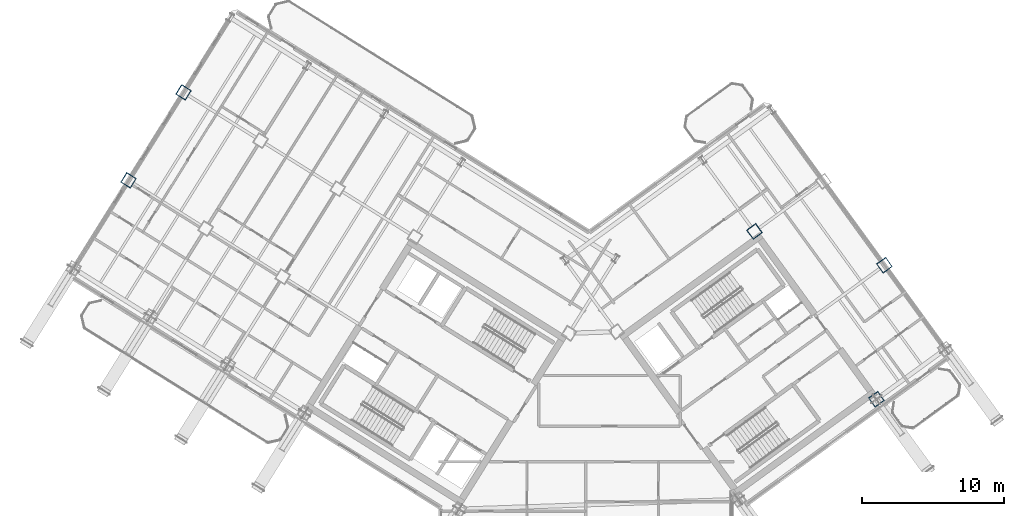
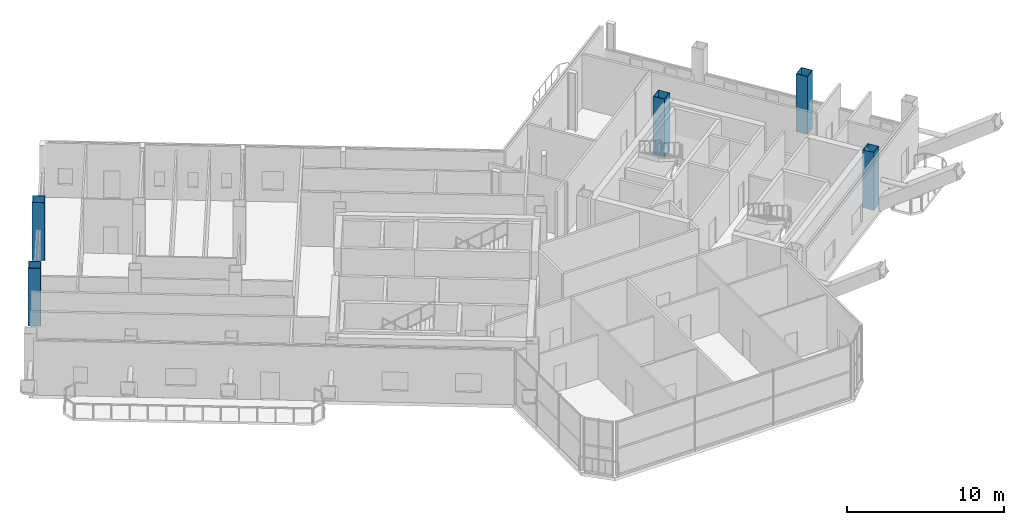
# One storey, part 2 of 34: 5 columns.
"""IFC4 building model written with IfcOpenShell, lengths in metres."""

from ifc_helpers import new_model, si_unit, direction, frame, origin, origin_2d, place, context, subcontext, project, spatial, hollow_rectangle, extrude, source, transform, mapped, material, material_profile, profile_set, type_object, element, save


model = new_model("IFC4")

# Units and contexts
model_context = context("Model", 3, precision=1e-05, world=origin(), true_north=direction((0.0, 1.0)))
body_context = subcontext(model_context, "Body", "Model", "MODEL_VIEW")
ifc_project = project(units=[si_unit("LENGTHUNIT", "METRE"), si_unit("AREAUNIT", "SQUARE_METRE"), si_unit("VOLUMEUNIT", "CUBIC_METRE"), si_unit("PLANEANGLEUNIT", "RADIAN"), si_unit("MASSUNIT", "GRAM", prefix="KILO")], contexts=[model_context])

# Site, building, storey
site_placement = place(None, origin())
site = spatial("IfcSite", under=ifc_project, at=site_placement, CompositionType="ELEMENT")
building_placement = place(site_placement, origin())
building = spatial("IfcBuilding", under=site, at=building_placement, Name="Tlacorven Tower", CompositionType="ELEMENT")
storey_placement = place(building_placement, frame((0.0, 0.0, 229.199951171875)))
storey = spatial("IfcBuildingStorey", under=building, at=storey_placement, Name="L58", CompositionType="ELEMENT", Elevation=229.199951171875)

# Columns
ifc_material = material(Name="Steel S460M", Category="steel")
ifc_material_profile = material_profile(ifc_material, hollow_rectangle(XDim=0.800048828125, YDim=0.800048828125, WallThickness=0.031982421875, at=origin_2d()), Name="BOX 800X800X32")
ifc_profile_set = profile_set([ifc_material_profile], Name="Steel S460M")
column_type = type_object("IfcColumnType", Name="COL-TWR-S3", PredefinedType="COLUMN", material=ifc_profile_set)
shared_shape = source(origin(), body_context, "Body", "SweptSolid", [
    extrude(hollow_rectangle(XDim=0.800048828125, YDim=0.800048828125, WallThickness=0.031982421875, at=origin_2d()), origin(), (0.0, 0.0, 1.0), 4.5),
])
for number, where, z_axis, x_axis, name in (
    (1, (13.6455078125, 41.42578125, 0.0), (0.0, 0.0, 1.0), (-0.848048096156, 0.529919264233, 0.0), "L58 column COL-L58-W6-2"),
    (2, (9.777099609375, 35.235107421875, 0.0), (0.0, 0.0, 1.0), (-0.848048096156, 0.529919264233, 0.0), "L58 column COL-L58-W6-3"),
    (3, (62.41357421875, 19.826904296875, 0.0), (0.0, 0.0, 1.0), (0.809016994375, 0.587785252292, 0.0), "L58 column COL-L58-E3-1"),
    (4, (53.83203125, 31.638427734375, 0.0), (0.0, 0.0, 1.0), (0.809016994375, 0.587785252292, 0.0), "L58 column COL-L58-E3-3"),
    (5, (62.976806640625, 29.25927734375, 0.0), (0.0, 0.0, 1.0), (0.809016994375, 0.587785252292, 0.0), "L58 column COL-L58-E4-2"),
):
    element("IfcColumn", number, at=place(storey_placement, frame(where, z_axis=z_axis, x_axis=x_axis)), inside=storey, type_object=column_type, Name=name, PredefinedType="COLUMN", context=body_context, shape_type="MappedRepresentation", body=[
        mapped(shared_shape, transform((0.0, 0.0, 0.0), scale=1.0)),
    ])

save(model, "model.ifc")
